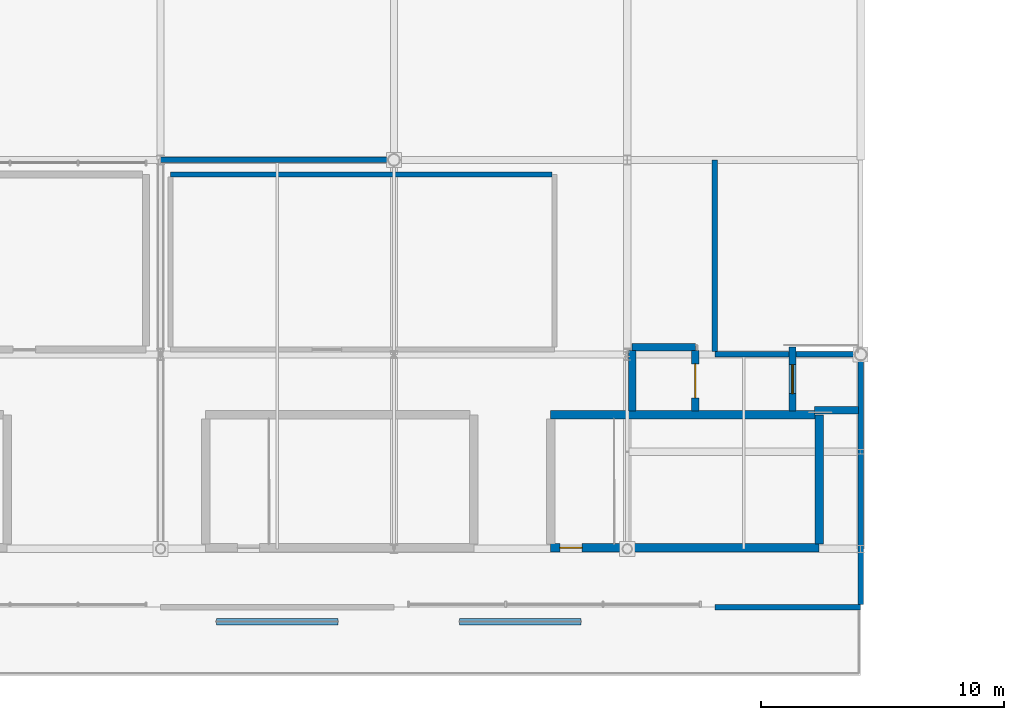
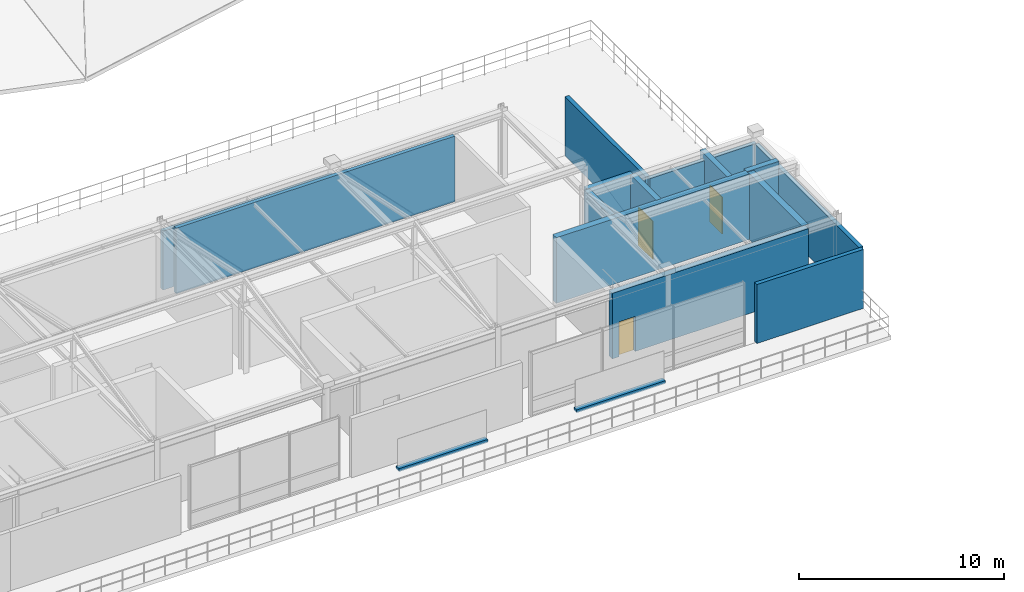
# One storey, part 21 of 26: 14 walls, 3 doors, 2 discrete accessories, 3 openings.
"""IFC4 building model written with IfcOpenShell, lengths in metres."""

from ifc_helpers import new_model, si_unit, direction, frame, frame_2d, origin, origin_2d, place, context, subcontext, project, spatial, rectangle, extrude, material, layer, layer_set, type_object, element, fill, save


model = new_model("IFC4")

# Units and contexts
model_context = context("Model", 3, precision=1e-05, world=origin(), true_north=direction((0.0, 1.0)))
body_context = subcontext(model_context, "Body", "Model", "MODEL_VIEW")
ifc_project = project(units=[si_unit("LENGTHUNIT", "METRE"), si_unit("AREAUNIT", "SQUARE_METRE"), si_unit("VOLUMEUNIT", "CUBIC_METRE"), si_unit("PLANEANGLEUNIT", "RADIAN"), si_unit("MASSUNIT", "GRAM", prefix="KILO")], contexts=[model_context])

# Site, building, storey
site_placement = place(None, origin())
site = spatial("IfcSite", under=ifc_project, at=site_placement, CompositionType="ELEMENT")
building_placement = place(site_placement, origin())
building = spatial("IfcBuilding", under=site, at=building_placement, Name="Danafjord Basin Convention Centre", CompositionType="ELEMENT")
storey_placement = place(building_placement, frame((0.0, 0.0, 29.39990234375)))
storey = spatial("IfcBuildingStorey", under=building, at=storey_placement, Name="RF", CompositionType="ELEMENT", Elevation=29.39990234375)

# Wall
ifc_material_1 = material(Name="Concrete C40/50", Category="concrete")
ifc_layer_1 = layer(ifc_material_1, 0.300048828125)
ifc_layer_set_1 = layer_set([ifc_layer_1], Name="Concrete C40/50")
wall_type_1 = type_object("IfcWallType", Name="WALL-CW-CORE300", PredefinedType="SHEAR", material=ifc_layer_set_1)
wall_1_placement = place(storey_placement, frame((89.199951171875, 24.300048828125, 0.0), z_axis=(0.0, 0.0, 1.0), x_axis=(-1.0, 0.0, 0.0)))
element("IfcWall", 1, at=wall_1_placement, inside=storey, type_object=wall_type_1, Name="Lift LF-FF02 shaft shear wall", PredefinedType="SHEAR", context=body_context, shape_type="SweptSolid", body=[
    extrude(rectangle(XDim=2.599853515625, YDim=0.300048828125, at=frame_2d((1.2998046875, 0.0))), origin(), (0.0, 0.0, 1.0), 3.900146484375),
])

# Wall, opening, door
wall_2_placement = place(storey_placement, frame((89.199951171875, 21.6650390625, 0.0), z_axis=(0.0, 0.0, 1.0), x_axis=(0.0, 1.0, 0.0)))
wall_2 = element("IfcWall", 2, at=wall_2_placement, inside=storey, type_object=wall_type_1, Name="Lift LF-FF02 shaft shear wall", PredefinedType="SHEAR", context=body_context, shape_type="SweptSolid", body=[
    extrude(rectangle(XDim=2.5, YDim=0.300048828125, at=frame_2d((1.25, 0.0))), origin(), (0.0, 0.0, 1.0), 3.900146484375),
])
opening_1_placement = place(wall_2_placement, frame((0.550048828125, 0.0, 0.0)))
opening_1 = element("IfcOpeningElement", 3, at=opening_1_placement, cuts=wall_2, Name="Opening LD-F01", PredefinedType="OPENING", context=body_context, shape_type="SweptSolid", body=[
    extrude(rectangle(XDim=1.39990234375, YDim=2.260009765625, at=frame_2d((0.699951171875, 1.1298828125))), frame((0.0, 0.159912109375, 0.0), z_axis=(0.0, -1.0, 0.0), x_axis=(1.0, 0.0, 0.0)), (0.0, 0.0, 1.0), 0.320068359375),
])
ifc_material_2 = material(Name="Brushed stainless steel and acoustic laminated glass", Category="steel")
door_type_1 = type_object("IfcDoorType", Name="DOOR-LD-F01", OperationType="DOUBLE_DOOR_SLIDING", PredefinedType="DOOR", material=ifc_material_2)
door_1_placement = place(opening_1_placement, origin())
door_1 = element("IfcDoor", 4, at=door_1_placement, inside=storey, type_object=door_type_1, Name="Lift LF-FF02 RF Landing Door", OperationType="DOUBLE_DOOR_SLIDING", OverallHeight=2.260009765625, OverallWidth=1.39990234375, PredefinedType="DOOR", context=body_context, shape_type="SweptSolid", body=[
    extrude(rectangle(XDim=1.39990234375, YDim=2.260009765625, at=frame_2d((0.699951171875, 1.1298828125))), frame((0.0, 0.02490234375, 0.0), z_axis=(0.0, -1.0, 0.0), x_axis=(1.0, 0.0, 0.0)), (0.0, 0.0, 1.0), 0.050048828125),
])
fill(opening_1, door_1)

# Walls
wall_3_placement = place(storey_placement, frame((86.60009765625, 24.1650390625, 0.0), z_axis=(0.0, 0.0, 1.0), x_axis=(0.0, -1.0, 0.0)))
element("IfcWall", 5, at=wall_3_placement, inside=storey, type_object=wall_type_1, Name="Lift LF-FF02 shaft shear wall", PredefinedType="SHEAR", context=body_context, shape_type="SweptSolid", body=[
    extrude(rectangle(XDim=2.5, YDim=0.300048828125, at=frame_2d((1.25, 0.0))), origin(), (0.0, 0.0, 1.0), 3.900146484375),
])
wall_4_placement = place(storey_placement, frame((94.110107421875, 21.699951171875, 0.0), z_axis=(0.0, 0.0, 1.0), x_axis=(1.0, 0.0, 0.0)))
element("IfcWall", 6, at=wall_4_placement, inside=storey, type_object=wall_type_1, Name="Lift LF-P02 shaft shear wall", PredefinedType="SHEAR", context=body_context, shape_type="SweptSolid", body=[
    extrude(rectangle(XDim=1.794921875, YDim=0.300048828125, at=frame_2d((0.8974609375, 0.0))), origin(), (0.0, 0.0, 1.0), 3.900146484375),
])

# Wall, opening, door
wall_5_placement = place(storey_placement, frame((93.199951171875, 24.300048828125, 0.0), z_axis=(0.0, 0.0, 1.0), x_axis=(0.0, -1.0, 0.0)))
wall_5 = element("IfcWall", 7, at=wall_5_placement, inside=storey, type_object=wall_type_1, Name="Lift LF-P02 shaft shear wall", PredefinedType="SHEAR", context=body_context, shape_type="SweptSolid", body=[
    extrude(rectangle(XDim=2.635009765625, YDim=0.300048828125, at=frame_2d((1.3173828125, 0.0))), origin(), (0.0, 0.0, 1.0), 3.900146484375),
])
opening_2_placement = place(wall_5_placement, frame((0.718017578125, 0.0, 0.0)))
opening_2 = element("IfcOpeningElement", 8, at=opening_2_placement, cuts=wall_5, Name="Opening LD-P01", PredefinedType="OPENING", context=body_context, shape_type="SweptSolid", body=[
    extrude(rectangle(XDim=1.199951171875, YDim=2.199951171875, at=frame_2d((0.60009765625, 1.10009765625))), frame((0.0, 0.159912109375, 0.0), z_axis=(0.0, -1.0, 0.0), x_axis=(1.0, 0.0, 0.0)), (0.0, 0.0, 1.0), 0.320068359375),
])
door_type_2 = type_object("IfcDoorType", Name="DOOR-LD-P01", OperationType="DOUBLE_DOOR_SLIDING", PredefinedType="DOOR", material=ifc_material_2)
door_2_placement = place(opening_2_placement, origin())
door_2 = element("IfcDoor", 9, at=door_2_placement, inside=storey, type_object=door_type_2, Name="Lift LF-P02 RF Landing Door", OperationType="DOUBLE_DOOR_SLIDING", OverallHeight=2.199951171875, OverallWidth=1.199951171875, PredefinedType="DOOR", context=body_context, shape_type="SweptSolid", body=[
    extrude(rectangle(XDim=1.199951171875, YDim=2.199951171875, at=frame_2d((0.60009765625, 1.10009765625))), frame((0.0, 0.02490234375, 0.0), z_axis=(0.0, -1.0, 0.0), x_axis=(1.0, 0.0, 0.0)), (0.0, 0.0, 1.0), 0.050048828125),
])
fill(opening_2, door_2)

ifc_material_3 = material(Name="Concrete C45/55", Category="concrete")
ifc_layer_2 = layer(ifc_material_3, 0.35009765625)
ifc_layer_set_2 = layer_set([ifc_layer_2], Name="Concrete C45/55")
wall_type_2 = type_object("IfcWallType", Name="WALL-CW-CORE350", PredefinedType="SHEAR", material=ifc_layer_set_2)
wall_6_placement = place(storey_placement, frame((83.25, 16.050048828125, 0.0), z_axis=(0.0, 0.0, 1.0), x_axis=(1.0, 0.0, 0.0)))
wall_6 = element("IfcWall", 10, at=wall_6_placement, inside=storey, type_object=wall_type_2, Name="Central Harbour Core Stair 1 core shear wall (south)", PredefinedType="SHEAR", context=body_context, shape_type="SweptSolid", body=[
    extrude(rectangle(XDim=11.0400390625, YDim=0.35009765625, at=frame_2d((5.52001953125, 0.0))), origin(), (0.0, 0.0, 1.0), 3.900146484375),
])
opening_3_placement = place(wall_6_placement, frame((0.3798828125, 0.0, 0.0)))
opening_3 = element("IfcOpeningElement", 11, at=opening_3_placement, cuts=wall_6, Name="Opening FD-S01", PredefinedType="OPENING", context=body_context, shape_type="SweptSolid", body=[
    extrude(rectangle(XDim=0.909912109375, YDim=2.080078125, at=frame_2d((0.455078125, 1.0400390625))), frame((0.0, 0.18505859375, 0.0), z_axis=(0.0, -1.0, 0.0), x_axis=(1.0, 0.0, 0.0)), (0.0, 0.0, 1.0), 0.3701171875),
])
ifc_material_4 = material(Name="Powder-coated steel and Nordic oak", Category="steel")
door_type_3 = type_object("IfcDoorType", Name="DOOR-FD-S01", OperationType="NOTDEFINED", PredefinedType="DOOR", material=ifc_material_4)
door_3_placement = place(opening_3_placement, origin())
door_3 = element("IfcDoor", 12, at=door_3_placement, inside=storey, type_object=door_type_3, Name="Central Harbour Core Stair 1 RF Fire Exit Door", OperationType="SINGLE_SWING_RIGHT", OverallHeight=2.080078125, OverallWidth=0.909912109375, PredefinedType="DOOR", context=body_context, shape_type="SweptSolid", body=[
    extrude(rectangle(XDim=0.909912109375, YDim=2.080078125, at=frame_2d((0.455078125, 1.0400390625))), frame((0.0, 0.02490234375, 0.0), z_axis=(0.0, -1.0, 0.0), x_axis=(1.0, 0.0, 0.0)), (0.0, 0.0, 1.0), 0.050048828125),
])
fill(opening_3, door_3)

# Walls
wall_7_placement = place(storey_placement, frame((94.2900390625, 16.2099609375, 0.0), z_axis=(0.0, 0.0, 1.0), x_axis=(0.0, 1.0, 0.0)))
element("IfcWall", 13, at=wall_7_placement, inside=storey, type_object=wall_type_2, Name="Central Harbour Core Stair 1 core shear wall (east)", PredefinedType="SHEAR", context=body_context, shape_type="SweptSolid", body=[
    extrude(rectangle(XDim=5.300048828125, YDim=0.35009765625, at=frame_2d((2.64990234375, 0.0))), origin(), (0.0, 0.0, 1.0), 3.900146484375),
])
wall_8_placement = place(storey_placement, frame((94.1298828125, 21.510009765625, 0.0), z_axis=(0.0, 0.0, 1.0), x_axis=(-1.0, 0.0, 0.0)))
element("IfcWall", 14, at=wall_8_placement, inside=storey, type_object=wall_type_2, Name="Central Harbour Core Stair 1 core shear wall (north)", PredefinedType="SHEAR", context=body_context, shape_type="SweptSolid", body=[
    extrude(rectangle(XDim=10.8798828125, YDim=0.35009765625, at=frame_2d((5.43994140625, 0.0))), origin(), (0.0, 0.0, 1.0), 3.900146484375),
])
ifc_material_5 = material(Name="Concrete C35/45", Category="concrete")
ifc_layer_3 = layer(ifc_material_5, 0.22998046875)
ifc_layer_set_3 = layer_set([ifc_layer_3], Name="Concrete C35/45")
wall_type_3 = type_object("IfcWallType", Name="WALL-EW-STD230", PredefinedType="STANDARD", material=ifc_layer_set_3)
wall_9_placement = place(storey_placement, frame((67.199951171875, 32.0, 0.0), z_axis=(0.0, 0.0, 1.0), x_axis=(1.0, 0.0, 0.0)))
element("IfcWall", 15, at=wall_9_placement, inside=storey, type_object=wall_type_3, Name="Observatory pavilion north facade wall", PredefinedType="STANDARD", context=body_context, shape_type="SweptSolid", body=[
    extrude(rectangle(XDim=9.60009765625, YDim=0.22998046875, at=frame_2d((4.800048828125, 0.0))), origin(), (0.0, 0.0, 1.0), 3.510009765625),
])
for number, where, z_axis, x_axis, name in (
    (16, (90.0, 13.60009765625, 0.0), (0.0, 0.0, 1.0), (1.0, 0.0, 0.0), "Observatory pavilion south facade wall"),
    (17, (90.0, 24.0, 0.0), (0.0, 0.0, 1.0), (1.0, 0.0, 0.0), "Observatory pavilion end wall"),
):
    element("IfcWall", number, at=place(storey_placement, frame(where, z_axis=z_axis, x_axis=x_axis)), inside=storey, type_object=wall_type_3, Name=name, PredefinedType="STANDARD", context=body_context, shape_type="SweptSolid", body=[
        extrude(rectangle(XDim=6.0, YDim=0.22998046875, at=frame_2d((3.0, 0.0))), origin(), (0.0, 0.0, 1.0), 3.510009765625),
    ])
wall_10_placement = place(storey_placement, frame((90.0, 24.118896484375, 0.0), z_axis=(0.0, 0.0, 1.0), x_axis=(0.0, 1.0, 0.0)))
element("IfcWall", 18, at=wall_10_placement, inside=storey, type_object=wall_type_3, Name="Observatory pavilion end wall", PredefinedType="STANDARD", context=body_context, shape_type="SweptSolid", body=[
    extrude(rectangle(XDim=7.881103515625, YDim=0.22998046875, at=frame_2d((3.9404296875, 0.0))), origin(), (0.0, 0.0, 1.0), 3.510009765625),
])
wall_11_placement = place(storey_placement, frame((96.0, 13.718994140625, 0.0), z_axis=(0.0, 0.0, 1.0), x_axis=(0.0, 1.0, 0.0)))
element("IfcWall", 19, at=wall_11_placement, inside=storey, type_object=wall_type_3, Name="Observatory pavilion end wall", PredefinedType="STANDARD", context=body_context, shape_type="SweptSolid", body=[
    extrude(rectangle(XDim=10.162109375, YDim=0.22998046875, at=frame_2d((5.0810546875, 0.0))), origin(), (0.0, 0.0, 1.0), 3.510009765625),
])
ifc_layer_4 = layer(ifc_material_5, 0.205078125)
ifc_layer_set_4 = layer_set([ifc_layer_4], Name="Concrete C35/45")
wall_type_4 = type_object("IfcWallType", Name="WALL-W-COMP205", PredefinedType="SOLIDWALL", material=ifc_layer_set_4)
wall_12_placement = place(storey_placement, frame((83.29345703125, 31.39990234375, 0.0), z_axis=(0.0, 0.0, 1.0), x_axis=(-1.0, 0.0, 0.0)))
element("IfcWall", 20, at=wall_12_placement, inside=storey, type_object=wall_type_4, Name="Crown Energy-Recovery AHU Plant north partition", PredefinedType="SOLIDWALL", context=body_context, shape_type="SweptSolid", body=[
    extrude(rectangle(XDim=15.693359375, YDim=0.205078125, at=frame_2d((7.8466796875, 0.0))), origin(), (0.0, 0.0, 1.0), 3.900146484375),
])

# Discrete accessories
ifc_material_6 = material(Name="Stainless steel EN 1.4404", Category="steel")
discrete_accessory_type = type_object("IfcDiscreteAccessoryType", Name="ACC-FIN-BRK", PredefinedType="BRACKET", material=ifc_material_6)
for number, where, z_axis, x_axis, name in (
    (21, (72.0, 13.0, -0.06982421875), (0.0, 0.0, 1.0), (1.0, 0.0, 0.0), "Acoustic screen base shoe"),
    (22, (82.0, 13.0, -0.06982421875), (0.0, 0.0, 1.0), (1.0, 0.0, 0.0), "Acoustic screen base shoe"),
):
    element("IfcDiscreteAccessory", number, at=place(storey_placement, frame(where, z_axis=z_axis, x_axis=x_axis)), inside=storey, type_object=discrete_accessory_type, Name=name, PredefinedType="BRACKET", context=body_context, shape_type="SweptSolid", body=[
        extrude(rectangle(XDim=5.0, YDim=0.280029296875, at=origin_2d()), origin(), (0.0, 0.0, 1.0), 0.179931640625),
    ])

save(model, "model.ifc")
